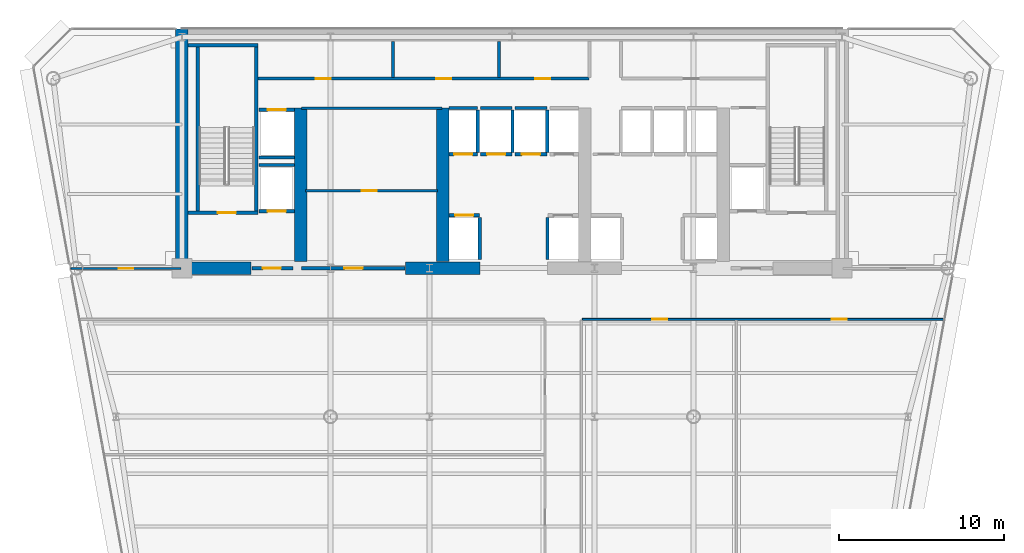
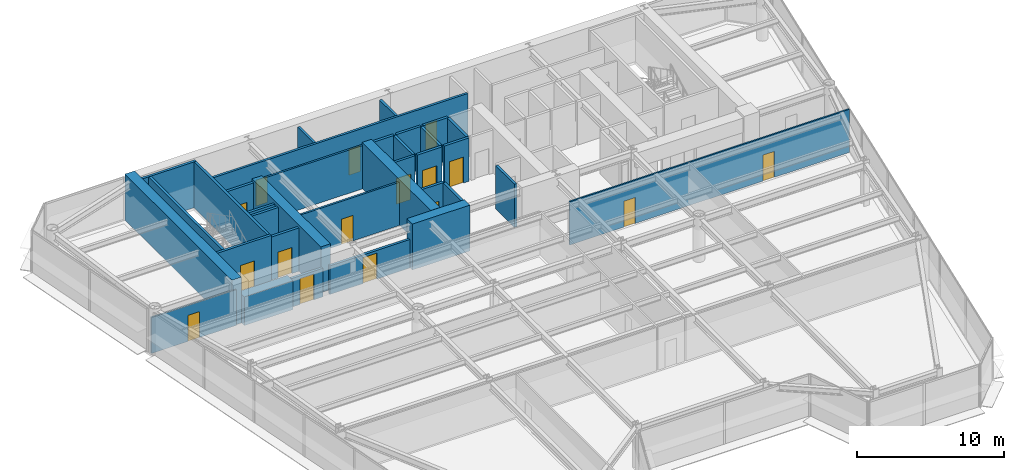
# One storey, part 11 of 17: 34 walls, 16 doors, 16 openings.
"""IFC4 building model written with IfcOpenShell, lengths in metres."""

from ifc_helpers import new_model, si_unit, direction, frame, frame_2d, origin, place, context, subcontext, project, spatial, rectangle, extrude, source, transform, mapped, material, layer, layer_set, type_object, element, fill, save


model = new_model("IFC4")

# Units and contexts
model_context = context("Model", 3, precision=1e-05, world=origin(), true_north=direction((0.0, 1.0)))
body_context = subcontext(model_context, "Body", "Model", "MODEL_VIEW")
ifc_project = project(units=[si_unit("LENGTHUNIT", "METRE"), si_unit("AREAUNIT", "SQUARE_METRE"), si_unit("VOLUMEUNIT", "CUBIC_METRE"), si_unit("PLANEANGLEUNIT", "RADIAN"), si_unit("MASSUNIT", "GRAM", prefix="KILO")], contexts=[model_context])

# Site, building, storey
site_placement = place(None, origin())
site = spatial("IfcSite", under=ifc_project, at=site_placement, CompositionType="ELEMENT")
building_placement = place(site_placement, origin())
building = spatial("IfcBuilding", under=site, at=building_placement, Name="Vaeldorn Concourse Tower", CompositionType="ELEMENT")
storey_placement = place(building_placement, frame((0.0, 0.0, 165.199951171875)))
storey = spatial("IfcBuildingStorey", under=building, at=storey_placement, Name="L42", CompositionType="ELEMENT", Elevation=165.199951171875)

# Walls
ifc_material_1 = material(Name="Concrete C60/75", Category="concrete")
ifc_layer_1 = layer(ifc_material_1, 0.75)
ifc_layer_set_1 = layer_set([ifc_layer_1], Name="Concrete C60/75")
wall_type_1 = type_object("IfcWallType", Name="WL-CORE-750", PredefinedType="SHEAR", material=ifc_layer_set_1)
wall_1_placement = place(storey_placement, frame((14.0, 36.5, 0.0), z_axis=(0.0, 0.0, 1.0), x_axis=(0.0, 1.0, 0.0)))
element("IfcWall", 1, at=wall_1_placement, inside=storey, type_object=wall_type_1, Name="Rear Core Shear Wall L42 W1", PredefinedType="SHEAR", context=body_context, shape_type="SweptSolid", body=[
    extrude(rectangle(XDim=14.5, YDim=0.75, at=frame_2d((7.25, 0.0))), origin(), (0.0, 0.0, 1.0), 3.800048828125),
])
wall_2_placement = place(storey_placement, frame((14.39501953125, 36.5, 0.0), z_axis=(0.0, 0.0, 1.0), x_axis=(1.0, 0.0, 0.0)))
element("IfcWall", 2, at=wall_2_placement, inside=storey, type_object=wall_type_1, Name="Rear Core Shear Wall L42 S1", PredefinedType="SHEAR", context=body_context, shape_type="SweptSolid", body=[
    extrude(rectangle(XDim=3.804931640625, YDim=0.75, at=frame_2d((1.90234375, 0.0))), origin(), (0.0, 0.0, 1.0), 2.380126953125),
])
wall_3_placement = place(storey_placement, frame((27.550048828125, 36.5, 0.0), z_axis=(0.0, 0.0, 1.0), x_axis=(1.0, 0.0, 0.0)))
element("IfcWall", 3, at=wall_3_placement, inside=storey, type_object=wall_type_1, Name="Rear Core Shear Wall L42 S2", PredefinedType="SHEAR", context=body_context, shape_type="SweptSolid", body=[
    extrude(rectangle(XDim=4.5, YDim=0.75, at=frame_2d((2.25, 0.0))), origin(), (0.0, 0.0, 1.0), 3.800048828125),
])
for number, where, z_axis, x_axis, name in (
    (4, (21.199951171875, 36.89501953125, 0.0), (0.0, 0.0, 1.0), (0.0, 1.0, 0.0), "Rear Core Shear Wall L42 M1"),
    (5, (29.800048828125, 36.89501953125, 0.0), (0.0, 0.0, 1.0), (0.0, 1.0, 0.0), "Rear Core Shear Wall L42 M2"),
):
    element("IfcWall", number, at=place(storey_placement, frame(where, z_axis=z_axis, x_axis=x_axis)), inside=storey, type_object=wall_type_1, Name=name, PredefinedType="SHEAR", context=body_context, shape_type="SweptSolid", body=[
        extrude(rectangle(XDim=9.304931640625, YDim=0.75, at=frame_2d((4.65234375, 0.0))), origin(), (0.0, 0.0, 1.0), 3.800048828125),
    ])

# Wall, openings, doors
ifc_material_2 = material(Name="Gypsum Board Partition", Category="gypsum")
ifc_layer_2 = layer(ifc_material_2, 0.1201171875)
ifc_layer_set_2 = layer_set([ifc_layer_2], Name="Gypsum Board Partition")
wall_type_2 = type_object("IfcWallType", Name="WL-PART-120", PredefinedType="PARTITIONING", material=ifc_layer_set_2)
wall_4_placement = place(storey_placement, frame((38.260009765625, 33.39990234375, 0.0), z_axis=(0.0, 0.0, 1.0), x_axis=(1.0, 0.0, 0.0)))
wall_4 = element("IfcWall", 6, at=wall_4_placement, inside=storey, type_object=wall_type_2, Name="Interior Wall PW-L42-C2SE", PredefinedType="PARTITIONING", context=body_context, shape_type="SweptSolid", body=[
    extrude(rectangle(XDim=21.9091796875, YDim=0.1201171875, at=frame_2d((10.95458984375, 0.0))), origin(), (0.0, 0.0, 1.0), 3.580078125),
])
opening_1_placement = place(wall_4_placement, frame((4.239990234375, 0.0, 0.0)))
opening_1 = element("IfcOpeningElement", 7, at=opening_1_placement, cuts=wall_4, Name="Opening D-03", PredefinedType="OPENING", context=body_context, shape_type="SweptSolid", body=[
    extrude(rectangle(XDim=0.89990234375, YDim=2.14990234375, at=frame_2d((0.449951171875, 1.074951171875))), frame((0.0, 0.070068359375, 0.0), z_axis=(0.0, -1.0, 0.0), x_axis=(1.0, 0.0, 0.0)), (0.0, 0.0, 1.0), 0.14013671875),
])
opening_2_placement = place(wall_4_placement, frame((15.125, 0.0, 0.0)))
opening_2 = element("IfcOpeningElement", 8, at=opening_2_placement, cuts=wall_4, Name="Opening D-03", PredefinedType="OPENING", context=body_context, shape_type="SweptSolid", body=[
    extrude(rectangle(XDim=0.89990234375, YDim=2.14990234375, at=frame_2d((0.449951171875, 1.074951171875))), frame((0.0, 0.070068359375, 0.0), z_axis=(0.0, -1.0, 0.0), x_axis=(1.0, 0.0, 0.0)), (0.0, 0.0, 1.0), 0.14013671875),
])
ifc_material_3 = material(Name="Acoustic Bronze-Framed Glass Door", Category="glass")
door_type_1 = type_object("IfcDoorType", Name="DR-INT-900", OperationType="NOTDEFINED", PredefinedType="DOOR", material=ifc_material_3)
shared_shape_1 = source(origin(), body_context, "Body", "SweptSolid", [
    extrude(rectangle(XDim=0.89990234375, YDim=2.14990234375, at=frame_2d((0.449951171875, 1.074951171875))), frame((0.0, 0.02490234375, 0.0), z_axis=(0.0, -1.0, 0.0), x_axis=(1.0, 0.0, 0.0)), (0.0, 0.0, 1.0), 0.050048828125),
])
door_1_placement = place(opening_1_placement, origin())
door_1 = element("IfcDoor", 9, at=door_1_placement, inside=storey, type_object=door_type_1, Name="Interior Door DR-L42-Z2E1", OperationType="SINGLE_SWING_RIGHT", OverallHeight=2.14990234375, OverallWidth=0.89990234375, PredefinedType="DOOR", context=body_context, shape_type="MappedRepresentation", body=[
    mapped(shared_shape_1, transform((0.0, 0.0, 0.0), scale=1.0)),
])
fill(opening_1, door_1)
door_2_placement = place(opening_2_placement, origin())
door_2 = element("IfcDoor", 10, at=door_2_placement, inside=storey, type_object=door_type_1, Name="Interior Door DR-L42-Z2E2", OperationType="SINGLE_SWING_LEFT", OverallHeight=2.14990234375, OverallWidth=0.89990234375, PredefinedType="DOOR", context=body_context, shape_type="MappedRepresentation", body=[
    mapped(shared_shape_1, transform((0.0, 0.0, 0.0), scale=1.0)),
])
fill(opening_2, door_2)

# Wall, opening, door
wall_5_placement = place(storey_placement, frame((7.2744140625, 36.47998046875, 0.0), z_axis=(0.0, 0.0, 1.0), x_axis=(1.0, 0.0, 0.0)))
wall_5 = element("IfcWall", 11, at=wall_5_placement, inside=storey, type_object=wall_type_2, Name="Interior Wall PW-L42-NWS", PredefinedType="PARTITIONING", context=body_context, shape_type="SweptSolid", body=[
    extrude(rectangle(XDim=6.66552734375, YDim=0.1201171875, at=frame_2d((3.332763671875, 0.0))), origin(), (0.0, 0.0, 1.0), 2.969970703125),
])
opening_3_placement = place(wall_5_placement, frame((2.883056640625, 0.0, 0.0)))
opening_3 = element("IfcOpeningElement", 12, at=opening_3_placement, cuts=wall_5, Name="Opening D-03", PredefinedType="OPENING", context=body_context, shape_type="SweptSolid", body=[
    extrude(rectangle(XDim=0.89990234375, YDim=2.14990234375, at=frame_2d((0.449951171875, 1.074951171875))), frame((0.0, 0.070068359375, 0.0), z_axis=(0.0, -1.0, 0.0), x_axis=(1.0, 0.0, 0.0)), (0.0, 0.0, 1.0), 0.14013671875),
])
door_3_placement = place(opening_3_placement, origin())
door_3 = element("IfcDoor", 13, at=door_3_placement, inside=storey, type_object=door_type_1, Name="Interior Door DR-L42-NWC", OperationType="SINGLE_SWING_LEFT", OverallHeight=2.14990234375, OverallWidth=0.89990234375, PredefinedType="DOOR", context=body_context, shape_type="MappedRepresentation", body=[
    mapped(shared_shape_1, transform((0.0, 0.0, 0.0), scale=1.0)),
])
fill(opening_3, door_3)

# Wall
ifc_layer_3 = layer(ifc_material_2, 0.14990234375)
ifc_layer_set_3 = layer_set([ifc_layer_3], Name="Gypsum Board Partition")
wall_type_3 = type_object("IfcWallType", Name="WL-PART-150", PredefinedType="PARTITIONING", material=ifc_layer_set_3)
wall_6_placement = place(storey_placement, frame((21.25, 46.199951171875, 0.0), z_axis=(0.0, 0.0, 1.0), x_axis=(1.0, 0.0, 0.0)))
element("IfcWall", 14, at=wall_6_placement, inside=storey, type_object=wall_type_3, Name="Interior Wall CW-L42-R1N", PredefinedType="PARTITIONING", context=body_context, shape_type="SweptSolid", body=[
    extrude(rectangle(XDim=8.5, YDim=0.14990234375, at=frame_2d((4.25, 0.0))), origin(), (0.0, 0.0, 1.0), 3.580078125),
])

# Wall, opening, door
wall_7_placement = place(storey_placement, frame((21.5, 41.199951171875, 0.0), z_axis=(0.0, 0.0, 1.0), x_axis=(1.0, 0.0, 0.0)))
wall_7 = element("IfcWall", 15, at=wall_7_placement, inside=storey, type_object=wall_type_3, Name="Interior Wall CW-L42-R1M", PredefinedType="PARTITIONING", context=body_context, shape_type="SweptSolid", body=[
    extrude(rectangle(XDim=8.0, YDim=0.14990234375, at=frame_2d((4.0, 0.0))), origin(), (0.0, 0.0, 1.0), 3.580078125),
])
opening_4_placement = place(wall_7_placement, frame((3.39990234375, 0.0, 0.0)))
opening_4 = element("IfcOpeningElement", 16, at=opening_4_placement, cuts=wall_7, Name="Opening D-02", PredefinedType="OPENING", context=body_context, shape_type="SweptSolid", body=[
    extrude(rectangle(XDim=0.89990234375, YDim=2.10009765625, at=frame_2d((0.449951171875, 1.050048828125))), frame((0.0, 0.0849609375, 0.0), z_axis=(0.0, -1.0, 0.0), x_axis=(1.0, 0.0, 0.0)), (0.0, 0.0, 1.0), 0.169921875),
])
ifc_material_4 = material(Name="Fire-Rated Timber Leaf", Category="wood")
door_type_2 = type_object("IfcDoorType", Name="DR-FD30-900", OperationType="NOTDEFINED", PredefinedType="DOOR", material=ifc_material_4)
shared_shape_2 = source(origin(), body_context, "Body", "SweptSolid", [
    extrude(rectangle(XDim=0.89990234375, YDim=2.10009765625, at=frame_2d((0.449951171875, 1.050048828125))), frame((0.0, 0.02490234375, 0.0), z_axis=(0.0, -1.0, 0.0), x_axis=(1.0, 0.0, 0.0)), (0.0, 0.0, 1.0), 0.050048828125),
])
door_4_placement = place(opening_4_placement, origin())
door_4 = element("IfcDoor", 17, at=door_4_placement, inside=storey, type_object=door_type_2, Name="Interior Door DR-L42-R1M", OperationType="SINGLE_SWING_RIGHT", OverallHeight=2.10009765625, OverallWidth=0.89990234375, PredefinedType="DOOR", context=body_context, shape_type="MappedRepresentation", body=[
    mapped(shared_shape_2, transform((0.0, 0.0, 0.0), scale=1.0)),
])
fill(opening_4, door_4)

# Wall, openings, doors
ifc_layer_4 = layer(ifc_material_2, 0.179931640625)
ifc_layer_set_4 = layer_set([ifc_layer_4], Name="Gypsum Board Partition")
wall_type_4 = type_object("IfcWallType", Name="WL-PLUMB-180", PredefinedType="PLUMBINGWALL", material=ifc_layer_set_4)
wall_8_placement = place(storey_placement, frame((18.6201171875, 47.97998046875, 0.0), z_axis=(0.0, 0.0, 1.0), x_axis=(1.0, 0.0, 0.0)))
wall_8 = element("IfcWall", 18, at=wall_8_placement, inside=storey, type_object=wall_type_4, Name="Interior Wall CW-L42-NS1W", PredefinedType="PLUMBINGWALL", context=body_context, shape_type="SweptSolid", body=[
    extrude(rectangle(XDim=20.059814453125, YDim=0.179931640625, at=frame_2d((10.02978515625, 0.0))), origin(), (0.0, 0.0, 1.0), 3.580078125),
])
opening_5_placement = place(wall_8_placement, frame((3.5, 0.0, 0.0)))
opening_5 = element("IfcOpeningElement", 19, at=opening_5_placement, cuts=wall_8, Name="Opening D-03", PredefinedType="OPENING", context=body_context, shape_type="SweptSolid", body=[
    extrude(rectangle(XDim=0.89990234375, YDim=2.14990234375, at=frame_2d((0.449951171875, 1.074951171875))), frame((0.0, 0.10009765625, 0.0), z_axis=(0.0, -1.0, 0.0), x_axis=(1.0, 0.0, 0.0)), (0.0, 0.0, 1.0), 0.199951171875),
])
opening_6_placement = place(wall_8_placement, frame((10.800048828125, 0.0, 0.0)))
opening_6 = element("IfcOpeningElement", 20, at=opening_6_placement, cuts=wall_8, Name="Opening D-03", PredefinedType="OPENING", context=body_context, shape_type="SweptSolid", body=[
    extrude(rectangle(XDim=0.89990234375, YDim=2.14990234375, at=frame_2d((0.449951171875, 1.074951171875))), frame((0.0, 0.10009765625, 0.0), z_axis=(0.0, -1.0, 0.0), x_axis=(1.0, 0.0, 0.0)), (0.0, 0.0, 1.0), 0.199951171875),
])
opening_7_placement = place(wall_8_placement, frame((16.800048828125, 0.0, 0.0)))
opening_7 = element("IfcOpeningElement", 21, at=opening_7_placement, cuts=wall_8, Name="Opening D-03", PredefinedType="OPENING", context=body_context, shape_type="SweptSolid", body=[
    extrude(rectangle(XDim=0.89990234375, YDim=2.14990234375, at=frame_2d((0.449951171875, 1.074951171875))), frame((0.0, 0.10009765625, 0.0), z_axis=(0.0, -1.0, 0.0), x_axis=(1.0, 0.0, 0.0)), (0.0, 0.0, 1.0), 0.199951171875),
])
door_5_placement = place(opening_5_placement, origin())
door_5 = element("IfcDoor", 22, at=door_5_placement, inside=storey, type_object=door_type_1, Name="Interior Door DR-L42-CS1", OperationType="SINGLE_SWING_LEFT", OverallHeight=2.14990234375, OverallWidth=0.89990234375, PredefinedType="DOOR", context=body_context, shape_type="MappedRepresentation", body=[
    mapped(shared_shape_1, transform((0.0, 0.0, 0.0), scale=1.0)),
])
fill(opening_5, door_5)
door_6_placement = place(opening_6_placement, origin())
door_6 = element("IfcDoor", 23, at=door_6_placement, inside=storey, type_object=door_type_1, Name="Interior Door DR-L42-CS2", OperationType="SINGLE_SWING_RIGHT", OverallHeight=2.14990234375, OverallWidth=0.89990234375, PredefinedType="DOOR", context=body_context, shape_type="MappedRepresentation", body=[
    mapped(shared_shape_1, transform((0.0, 0.0, 0.0), scale=1.0)),
])
fill(opening_6, door_6)
door_7_placement = place(opening_7_placement, origin())
door_7 = element("IfcDoor", 24, at=door_7_placement, inside=storey, type_object=door_type_1, Name="Interior Door DR-L42-CS3", OperationType="SINGLE_SWING_LEFT", OverallHeight=2.14990234375, OverallWidth=0.89990234375, PredefinedType="DOOR", context=body_context, shape_type="MappedRepresentation", body=[
    mapped(shared_shape_1, transform((0.0, 0.0, 0.0), scale=1.0)),
])
fill(opening_7, door_7)

# Walls
for number, where, z_axis, x_axis, name in (
    (25, (26.800048828125, 48.06005859375, 0.0), (0.0, 0.0, 1.0), (0.0, 1.0, 0.0), "Interior Wall CW-L42-NDIV1"),
    (26, (33.199951171875, 48.06005859375, 0.0), (0.0, 0.0, 1.0), (0.0, 1.0, 0.0), "Interior Wall CW-L42-NDIV2"),
):
    element("IfcWall", number, at=place(storey_placement, frame(where, z_axis=z_axis, x_axis=x_axis)), inside=storey, type_object=wall_type_4, Name=name, PredefinedType="PLUMBINGWALL", context=body_context, shape_type="SweptSolid", body=[
        extrude(rectangle(XDim=2.169921875, YDim=0.179931640625, at=frame_2d((1.0849609375, 0.0))), origin(), (0.0, 0.0, 1.0), 3.580078125),
    ])

# Wall, opening, door
ifc_material_5 = material(Name="Concrete C50/60", Category="concrete")
ifc_layer_5 = layer(ifc_material_5, 0.199951171875)
ifc_layer_set_5 = layer_set([ifc_layer_5], Name="Concrete C50/60")
wall_type_5 = type_object("IfcWallType", Name="WL-SHAFT-200", PredefinedType="SOLIDWALL", material=ifc_layer_set_5)
wall_9_placement = place(storey_placement, frame((14.375, 39.85009765625, 0.0), z_axis=(0.0, 0.0, 1.0), x_axis=(1.0, 0.0, 0.0)))
wall_9 = element("IfcWall", 27, at=wall_9_placement, inside=storey, type_object=wall_type_5, Name="Stair Shaft Wall CW-L42-ST-1-S", PredefinedType="SOLIDWALL", context=body_context, shape_type="SweptSolid", body=[
    extrude(rectangle(XDim=4.22509765625, YDim=0.199951171875, at=frame_2d((2.112548828125, 0.0))), origin(), (0.0, 0.0, 1.0), 3.800048828125),
])
opening_8_placement = place(wall_9_placement, frame((1.800048828125, 0.0, 0.0)))
opening_8 = element("IfcOpeningElement", 28, at=opening_8_placement, cuts=wall_9, Name="Opening D-01", PredefinedType="OPENING", context=body_context, shape_type="SweptSolid", body=[
    extrude(rectangle(XDim=1.10009765625, YDim=2.14990234375, at=frame_2d((0.550048828125, 1.074951171875))), frame((0.0, 0.10986328125, 0.0), z_axis=(0.0, -1.0, 0.0), x_axis=(1.0, 0.0, 0.0)), (0.0, 0.0, 1.0), 0.219970703125),
])
ifc_material_6 = material(Name="Fire-Rated Timber and Steel Leaf", Category="steel")
door_type_3 = type_object("IfcDoorType", Name="DR-FD60-1100", OperationType="NOTDEFINED", PredefinedType="DOOR", material=ifc_material_6)
shared_shape_3 = source(origin(), body_context, "Body", "SweptSolid", [
    extrude(rectangle(XDim=1.10009765625, YDim=2.14990234375, at=frame_2d((0.550048828125, 1.074951171875))), frame((0.0, 0.02490234375, 0.0), z_axis=(0.0, -1.0, 0.0), x_axis=(1.0, 0.0, 0.0)), (0.0, 0.0, 1.0), 0.050048828125),
])
door_8_placement = place(opening_8_placement, origin())
door_8 = element("IfcDoor", 29, at=door_8_placement, inside=storey, type_object=door_type_3, Name="Interior Door DR-L42-ST-1", OperationType="SINGLE_SWING_LEFT", OverallHeight=2.14990234375, OverallWidth=1.10009765625, PredefinedType="DOOR", context=body_context, shape_type="MappedRepresentation", body=[
    mapped(shared_shape_3, transform((0.0, 0.0, 0.0), scale=1.0)),
])
fill(opening_8, door_8)

# Walls
wall_10_placement = place(storey_placement, frame((14.375, 50.0, 0.0), z_axis=(0.0, 0.0, 1.0), x_axis=(1.0, 0.0, 0.0)))
element("IfcWall", 30, at=wall_10_placement, inside=storey, type_object=wall_type_5, Name="Stair Shaft Wall CW-L42-ST-1-N", PredefinedType="SOLIDWALL", context=body_context, shape_type="SweptSolid", body=[
    extrude(rectangle(XDim=4.22509765625, YDim=0.199951171875, at=frame_2d((2.112548828125, 0.0))), origin(), (0.0, 0.0, 1.0), 3.800048828125),
])
for number, where, z_axis, x_axis, name in (
    (31, (14.949951171875, 39.9599609375, 0.0), (0.0, 0.0, 1.0), (0.0, 1.0, 0.0), "Stair Shaft Wall CW-L42-ST-1-W"),
    (32, (18.5, 39.9599609375, 0.0), (0.0, 0.0, 1.0), (0.0, 1.0, 0.0), "Stair Shaft Wall CW-L42-ST-1-E"),
):
    element("IfcWall", number, at=place(storey_placement, frame(where, z_axis=z_axis, x_axis=x_axis)), inside=storey, type_object=wall_type_5, Name=name, PredefinedType="SOLIDWALL", context=body_context, shape_type="SweptSolid", body=[
        extrude(rectangle(XDim=9.929931640625, YDim=0.199951171875, at=frame_2d((4.96484375, 0.0))), origin(), (0.0, 0.0, 1.0), 3.800048828125),
    ])

# Wall, opening, door
wall_11_placement = place(storey_placement, frame((18.25, 36.5, 0.0), z_axis=(0.0, 0.0, 1.0), x_axis=(1.0, 0.0, 0.0)))
wall_11 = element("IfcWall", 33, at=wall_11_placement, inside=storey, type_object=wall_type_5, Name="Interior Wall CW-L42-FF1S", PredefinedType="SOLIDWALL", context=body_context, shape_type="SweptSolid", body=[
    extrude(rectangle(XDim=2.469970703125, YDim=0.199951171875, at=frame_2d((1.23486328125, 0.0))), origin(), (0.0, 0.0, 1.0), 2.3701171875),
])
opening_9_placement = place(wall_11_placement, frame((0.64990234375, 0.0, 0.0)))
opening_9 = element("IfcOpeningElement", 34, at=opening_9_placement, cuts=wall_11, Name="Opening D-01", PredefinedType="OPENING", context=body_context, shape_type="SweptSolid", body=[
    extrude(rectangle(XDim=1.10009765625, YDim=2.14990234375, at=frame_2d((0.550048828125, 1.074951171875))), frame((0.0, 0.10986328125, 0.0), z_axis=(0.0, -1.0, 0.0), x_axis=(1.0, 0.0, 0.0)), (0.0, 0.0, 1.0), 0.219970703125),
])
door_9_placement = place(opening_9_placement, origin())
door_9 = element("IfcDoor", 35, at=door_9_placement, inside=storey, type_object=door_type_3, Name="Interior Door DR-L42-FF1E", OperationType="SINGLE_SWING_RIGHT", OverallHeight=2.14990234375, OverallWidth=1.10009765625, PredefinedType="DOOR", context=body_context, shape_type="MappedRepresentation", body=[
    mapped(shared_shape_3, transform((0.0, 0.0, 0.0), scale=1.0)),
])
fill(opening_9, door_9)

wall_12_placement = place(storey_placement, frame((30.18505859375, 39.699951171875, 0.0), z_axis=(0.0, 0.0, 1.0), x_axis=(1.0, 0.0, 0.0)))
wall_12 = element("IfcWall", 36, at=wall_12_placement, inside=storey, type_object=wall_type_5, Name="Interior Wall CW-L42-LF-LF-07", PredefinedType="SOLIDWALL", context=body_context, shape_type="SweptSolid", body=[
    extrude(rectangle(XDim=1.844970703125, YDim=0.199951171875, at=frame_2d((0.92236328125, 0.0))), origin(), (0.0, 0.0, 1.0), 3.580078125),
])
opening_10_placement = place(wall_12_placement, frame((0.373046875, 0.0, 0.0)))
opening_10 = element("IfcOpeningElement", 37, at=opening_10_placement, cuts=wall_12, Name="Opening LD-1", PredefinedType="OPENING", context=body_context, shape_type="SweptSolid", body=[
    extrude(rectangle(XDim=1.10009765625, YDim=2.14990234375, at=frame_2d((0.550048828125, 1.074951171875))), frame((0.0, 0.10986328125, 0.0), z_axis=(0.0, -1.0, 0.0), x_axis=(1.0, 0.0, 0.0)), (0.0, 0.0, 1.0), 0.219970703125),
])
ifc_material_7 = material(Name="Anodised Bronze Aluminium", Category="aluminium")
door_type_4 = type_object("IfcDoorType", Name="DR-LIFT-SLIDE-1100", OperationType="DOUBLE_DOOR_SLIDING", PredefinedType="DOOR", material=ifc_material_7)
door_10_placement = place(opening_10_placement, origin())
door_10 = element("IfcDoor", 38, at=door_10_placement, inside=storey, type_object=door_type_4, Name="Lift Landing Door LD-L42-LF-07", OperationType="DOUBLE_DOOR_SLIDING", OverallHeight=2.14990234375, OverallWidth=1.10009765625, PredefinedType="DOOR", context=body_context, shape_type="MappedRepresentation", body=[
    mapped(shared_shape_3, transform((0.0, 0.0, 0.0), scale=1.0)),
])
fill(opening_10, door_10)

# Walls
for number, where, z_axis, x_axis, name in (
    (39, (32.050048828125, 37.02001953125, 0.0), (0.0, 0.0, 1.0), (0.0, 1.0, 0.0), "Interior Wall CW-L42-LFE-LF-07"),
    (40, (36.14990234375, 37.02001953125, 0.0), (0.0, 0.0, 1.0), (0.0, 1.0, 0.0), "Interior Wall CW-L42-LFW-LF-08"),
):
    element("IfcWall", number, at=place(storey_placement, frame(where, z_axis=z_axis, x_axis=x_axis)), inside=storey, type_object=wall_type_5, Name=name, PredefinedType="SOLIDWALL", context=body_context, shape_type="SweptSolid", body=[
        extrude(rectangle(XDim=2.56005859375, YDim=0.199951171875, at=frame_2d((1.280029296875, 0.0))), origin(), (0.0, 0.0, 1.0), 3.580078125),
    ])

# Wall, opening, door
wall_13_placement = place(storey_placement, frame((30.18505859375, 43.39990234375, 0.0), z_axis=(0.0, 0.0, 1.0), x_axis=(1.0, 0.0, 0.0)))
wall_13 = element("IfcWall", 41, at=wall_13_placement, inside=storey, type_object=wall_type_5, Name="Interior Wall CW-L42-LF-LF-09", PredefinedType="SOLIDWALL", context=body_context, shape_type="SweptSolid", body=[
    extrude(rectangle(XDim=1.724853515625, YDim=0.199951171875, at=frame_2d((0.8623046875, 0.0))), origin(), (0.0, 0.0, 1.0), 3.580078125),
])
opening_11_placement = place(wall_13_placement, frame((0.31298828125, 0.0, 0.0)))
opening_11 = element("IfcOpeningElement", 42, at=opening_11_placement, cuts=wall_13, Name="Opening LD-1", PredefinedType="OPENING", context=body_context, shape_type="SweptSolid", body=[
    extrude(rectangle(XDim=1.10009765625, YDim=2.14990234375, at=frame_2d((0.550048828125, 1.074951171875))), frame((0.0, 0.10986328125, 0.0), z_axis=(0.0, -1.0, 0.0), x_axis=(1.0, 0.0, 0.0)), (0.0, 0.0, 1.0), 0.219970703125),
])
door_11_placement = place(opening_11_placement, origin())
door_11 = element("IfcDoor", 43, at=door_11_placement, inside=storey, type_object=door_type_4, Name="Lift Landing Door LD-L42-LF-09", OperationType="DOUBLE_DOOR_SLIDING", OverallHeight=2.14990234375, OverallWidth=1.10009765625, PredefinedType="DOOR", context=body_context, shape_type="MappedRepresentation", body=[
    mapped(shared_shape_3, transform((0.0, 0.0, 0.0), scale=1.0)),
])
fill(opening_11, door_11)

# Walls
wall_14_placement = place(storey_placement, frame((30.18505859375, 46.199951171875, 0.0), z_axis=(0.0, 0.0, 1.0), x_axis=(1.0, 0.0, 0.0)))
element("IfcWall", 44, at=wall_14_placement, inside=storey, type_object=wall_type_5, Name="Interior Wall CW-L42-LFB-LF-09", PredefinedType="SOLIDWALL", context=body_context, shape_type="SweptSolid", body=[
    extrude(rectangle(XDim=1.724853515625, YDim=0.199951171875, at=frame_2d((0.8623046875, 0.0))), origin(), (0.0, 0.0, 1.0), 3.580078125),
])
wall_15_placement = place(storey_placement, frame((31.929931640625, 43.52001953125, 0.0), z_axis=(0.0, 0.0, 1.0), x_axis=(0.0, 1.0, 0.0)))
element("IfcWall", 45, at=wall_15_placement, inside=storey, type_object=wall_type_5, Name="Interior Wall CW-L42-LFE-LF-09", PredefinedType="SOLIDWALL", context=body_context, shape_type="SweptSolid", body=[
    extrude(rectangle(XDim=2.56005859375, YDim=0.199951171875, at=frame_2d((1.280029296875, 0.0))), origin(), (0.0, 0.0, 1.0), 3.580078125),
])

# Wall, opening, door
wall_16_placement = place(storey_placement, frame((32.090087890625, 43.39990234375, 0.0), z_axis=(0.0, 0.0, 1.0), x_axis=(1.0, 0.0, 0.0)))
wall_16 = element("IfcWall", 46, at=wall_16_placement, inside=storey, type_object=wall_type_5, Name="Interior Wall CW-L42-LF-LF-10", PredefinedType="SOLIDWALL", context=body_context, shape_type="SweptSolid", body=[
    extrude(rectangle(XDim=1.919921875, YDim=0.199951171875, at=frame_2d((0.9599609375, 0.0))), origin(), (0.0, 0.0, 1.0), 3.580078125),
])
opening_12_placement = place(wall_16_placement, frame((0.409912109375, 0.0, 0.0)))
opening_12 = element("IfcOpeningElement", 47, at=opening_12_placement, cuts=wall_16, Name="Opening LD-1", PredefinedType="OPENING", context=body_context, shape_type="SweptSolid", body=[
    extrude(rectangle(XDim=1.10009765625, YDim=2.14990234375, at=frame_2d((0.550048828125, 1.074951171875))), frame((0.0, 0.10986328125, 0.0), z_axis=(0.0, -1.0, 0.0), x_axis=(1.0, 0.0, 0.0)), (0.0, 0.0, 1.0), 0.219970703125),
])
door_12_placement = place(opening_12_placement, origin())
door_12 = element("IfcDoor", 48, at=door_12_placement, inside=storey, type_object=door_type_4, Name="Lift Landing Door LD-L42-LF-10", OperationType="DOUBLE_DOOR_SLIDING", OverallHeight=2.14990234375, OverallWidth=1.10009765625, PredefinedType="DOOR", context=body_context, shape_type="MappedRepresentation", body=[
    mapped(shared_shape_3, transform((0.0, 0.0, 0.0), scale=1.0)),
])
fill(opening_12, door_12)

# Walls
wall_17_placement = place(storey_placement, frame((32.090087890625, 46.199951171875, 0.0), z_axis=(0.0, 0.0, 1.0), x_axis=(1.0, 0.0, 0.0)))
element("IfcWall", 49, at=wall_17_placement, inside=storey, type_object=wall_type_5, Name="Interior Wall CW-L42-LFB-LF-10", PredefinedType="SOLIDWALL", context=body_context, shape_type="SweptSolid", body=[
    extrude(rectangle(XDim=1.919921875, YDim=0.199951171875, at=frame_2d((0.9599609375, 0.0))), origin(), (0.0, 0.0, 1.0), 3.580078125),
])
wall_18_placement = place(storey_placement, frame((34.030029296875, 43.52001953125, 0.0), z_axis=(0.0, 0.0, 1.0), x_axis=(0.0, 1.0, 0.0)))
element("IfcWall", 50, at=wall_18_placement, inside=storey, type_object=wall_type_5, Name="Interior Wall CW-L42-LFE-LF-10", PredefinedType="SOLIDWALL", context=body_context, shape_type="SweptSolid", body=[
    extrude(rectangle(XDim=2.56005859375, YDim=0.199951171875, at=frame_2d((1.280029296875, 0.0))), origin(), (0.0, 0.0, 1.0), 3.580078125),
])

# Wall, opening, door
wall_19_placement = place(storey_placement, frame((34.18994140625, 43.39990234375, 0.0), z_axis=(0.0, 0.0, 1.0), x_axis=(1.0, 0.0, 0.0)))
wall_19 = element("IfcWall", 51, at=wall_19_placement, inside=storey, type_object=wall_type_5, Name="Interior Wall CW-L42-LF-LF-11", PredefinedType="SOLIDWALL", context=body_context, shape_type="SweptSolid", body=[
    extrude(rectangle(XDim=1.920166015625, YDim=0.199951171875, at=frame_2d((0.9599609375, 0.0))), origin(), (0.0, 0.0, 1.0), 3.580078125),
])
opening_13_placement = place(wall_19_placement, frame((0.409912109375, 0.0, 0.0)))
opening_13 = element("IfcOpeningElement", 52, at=opening_13_placement, cuts=wall_19, Name="Opening LD-1", PredefinedType="OPENING", context=body_context, shape_type="SweptSolid", body=[
    extrude(rectangle(XDim=1.10009765625, YDim=2.14990234375, at=frame_2d((0.550048828125, 1.074951171875))), frame((0.0, 0.10986328125, 0.0), z_axis=(0.0, -1.0, 0.0), x_axis=(1.0, 0.0, 0.0)), (0.0, 0.0, 1.0), 0.219970703125),
])
door_13_placement = place(opening_13_placement, origin())
door_13 = element("IfcDoor", 53, at=door_13_placement, inside=storey, type_object=door_type_4, Name="Lift Landing Door LD-L42-LF-11", OperationType="DOUBLE_DOOR_SLIDING", OverallHeight=2.14990234375, OverallWidth=1.10009765625, PredefinedType="DOOR", context=body_context, shape_type="MappedRepresentation", body=[
    mapped(shared_shape_3, transform((0.0, 0.0, 0.0), scale=1.0)),
])
fill(opening_13, door_13)

# Walls
wall_20_placement = place(storey_placement, frame((34.18994140625, 46.199951171875, 0.0), z_axis=(0.0, 0.0, 1.0), x_axis=(1.0, 0.0, 0.0)))
element("IfcWall", 54, at=wall_20_placement, inside=storey, type_object=wall_type_5, Name="Interior Wall CW-L42-LFB-LF-11", PredefinedType="SOLIDWALL", context=body_context, shape_type="SweptSolid", body=[
    extrude(rectangle(XDim=1.920166015625, YDim=0.199951171875, at=frame_2d((0.9599609375, 0.0))), origin(), (0.0, 0.0, 1.0), 3.580078125),
])
wall_21_placement = place(storey_placement, frame((36.1298828125, 43.52001953125, 0.0), z_axis=(0.0, 0.0, 1.0), x_axis=(0.0, 1.0, 0.0)))
element("IfcWall", 55, at=wall_21_placement, inside=storey, type_object=wall_type_5, Name="Interior Wall CW-L42-LFE-LF-11", PredefinedType="SOLIDWALL", context=body_context, shape_type="SweptSolid", body=[
    extrude(rectangle(XDim=2.56005859375, YDim=0.199951171875, at=frame_2d((1.280029296875, 0.0))), origin(), (0.0, 0.0, 1.0), 3.580078125),
])

# Wall, opening, door
wall_22_placement = place(storey_placement, frame((18.669921875, 46.10009765625, 0.0), z_axis=(0.0, 0.0, 1.0), x_axis=(1.0, 0.0, 0.0)))
wall_22 = element("IfcWall", 56, at=wall_22_placement, inside=storey, type_object=wall_type_5, Name="Interior Wall CW-L42-LF-LF-SV1", PredefinedType="SOLIDWALL", context=body_context, shape_type="SweptSolid", body=[
    extrude(rectangle(XDim=2.14501953125, YDim=0.199951171875, at=frame_2d((1.072509765625, 0.0))), origin(), (0.0, 0.0, 1.0), 3.580078125),
])
opening_14_placement = place(wall_22_placement, frame((0.52197265625, 0.0, 0.0)))
opening_14 = element("IfcOpeningElement", 57, at=opening_14_placement, cuts=wall_22, Name="Opening LD-1", PredefinedType="OPENING", context=body_context, shape_type="SweptSolid", body=[
    extrude(rectangle(XDim=1.10009765625, YDim=2.14990234375, at=frame_2d((0.550048828125, 1.074951171875))), frame((0.0, 0.10986328125, 0.0), z_axis=(0.0, -1.0, 0.0), x_axis=(1.0, 0.0, 0.0)), (0.0, 0.0, 1.0), 0.219970703125),
])
door_14_placement = place(opening_14_placement, origin())
door_14 = element("IfcDoor", 58, at=door_14_placement, inside=storey, type_object=door_type_4, Name="Lift Landing Door LD-L42-LF-SV1", OperationType="DOUBLE_DOOR_SLIDING", OverallHeight=2.14990234375, OverallWidth=1.10009765625, PredefinedType="DOOR", context=body_context, shape_type="MappedRepresentation", body=[
    mapped(shared_shape_3, transform((0.0, 0.0, 0.0), scale=1.0)),
])
fill(opening_14, door_14)

# Wall
wall_23_placement = place(storey_placement, frame((18.669921875, 43.199951171875, 0.0), z_axis=(0.0, 0.0, 1.0), x_axis=(1.0, 0.0, 0.0)))
element("IfcWall", 59, at=wall_23_placement, inside=storey, type_object=wall_type_5, Name="Interior Wall CW-L42-LFB-LF-SV1", PredefinedType="SOLIDWALL", context=body_context, shape_type="SweptSolid", body=[
    extrude(rectangle(XDim=2.14501953125, YDim=0.199951171875, at=frame_2d((1.072509765625, 0.0))), origin(), (0.0, 0.0, 1.0), 3.580078125),
])

# Wall, opening, door
wall_24_placement = place(storey_placement, frame((18.669921875, 39.949951171875, 0.0), z_axis=(0.0, 0.0, 1.0), x_axis=(1.0, 0.0, 0.0)))
wall_24 = element("IfcWall", 60, at=wall_24_placement, inside=storey, type_object=wall_type_5, Name="Interior Wall CW-L42-LF-LF-FF1", PredefinedType="SOLIDWALL", context=body_context, shape_type="SweptSolid", body=[
    extrude(rectangle(XDim=2.14501953125, YDim=0.199951171875, at=frame_2d((1.072509765625, 0.0))), origin(), (0.0, 0.0, 1.0), 3.580078125),
])
opening_15_placement = place(wall_24_placement, frame((0.52197265625, 0.0, 0.0)))
opening_15 = element("IfcOpeningElement", 61, at=opening_15_placement, cuts=wall_24, Name="Opening LD-1", PredefinedType="OPENING", context=body_context, shape_type="SweptSolid", body=[
    extrude(rectangle(XDim=1.10009765625, YDim=2.14990234375, at=frame_2d((0.550048828125, 1.074951171875))), frame((0.0, 0.10986328125, 0.0), z_axis=(0.0, -1.0, 0.0), x_axis=(1.0, 0.0, 0.0)), (0.0, 0.0, 1.0), 0.219970703125),
])
door_15_placement = place(opening_15_placement, origin())
door_15 = element("IfcDoor", 62, at=door_15_placement, inside=storey, type_object=door_type_4, Name="Lift Landing Door LD-L42-LF-FF1", OperationType="DOUBLE_DOOR_SLIDING", OverallHeight=2.14990234375, OverallWidth=1.10009765625, PredefinedType="DOOR", context=body_context, shape_type="MappedRepresentation", body=[
    mapped(shared_shape_3, transform((0.0, 0.0, 0.0), scale=1.0)),
])
fill(opening_15, door_15)

# Wall
wall_25_placement = place(storey_placement, frame((18.669921875, 42.75, 0.0), z_axis=(0.0, 0.0, 1.0), x_axis=(1.0, 0.0, 0.0)))
element("IfcWall", 63, at=wall_25_placement, inside=storey, type_object=wall_type_5, Name="Interior Wall CW-L42-LFB-LF-FF1", PredefinedType="SOLIDWALL", context=body_context, shape_type="SweptSolid", body=[
    extrude(rectangle(XDim=2.14501953125, YDim=0.199951171875, at=frame_2d((1.072509765625, 0.0))), origin(), (0.0, 0.0, 1.0), 3.580078125),
])

# Wall, opening, door
wall_26_placement = place(storey_placement, frame((21.25, 36.5, 0.0), z_axis=(0.0, 0.0, 1.0), x_axis=(1.0, 0.0, 0.0)))
wall_26 = element("IfcWall", 64, at=wall_26_placement, inside=storey, type_object=wall_type_5, Name="Interior Wall CW-L42-R1S", PredefinedType="SOLIDWALL", context=body_context, shape_type="SweptSolid", body=[
    extrude(rectangle(XDim=6.27001953125, YDim=0.199951171875, at=frame_2d((3.135009765625, 0.0))), origin(), (0.0, 0.0, 1.0), 2.3701171875),
])
opening_16_placement = place(wall_26_placement, frame((2.60009765625, 0.0, 0.0)))
opening_16 = element("IfcOpeningElement", 65, at=opening_16_placement, cuts=wall_26, Name="Opening D-01", PredefinedType="OPENING", context=body_context, shape_type="SweptSolid", body=[
    extrude(rectangle(XDim=1.10009765625, YDim=2.14990234375, at=frame_2d((0.550048828125, 1.074951171875))), frame((0.0, 0.10986328125, 0.0), z_axis=(0.0, -1.0, 0.0), x_axis=(1.0, 0.0, 0.0)), (0.0, 0.0, 1.0), 0.219970703125),
])
door_16_placement = place(opening_16_placement, origin())
door_16 = element("IfcDoor", 66, at=door_16_placement, inside=storey, type_object=door_type_3, Name="Interior Door DR-L42-R1S", OperationType="SINGLE_SWING_LEFT", OverallHeight=2.14990234375, OverallWidth=1.10009765625, PredefinedType="DOOR", context=body_context, shape_type="MappedRepresentation", body=[
    mapped(shared_shape_3, transform((0.0, 0.0, 0.0), scale=1.0)),
])
fill(opening_16, door_16)

save(model, "model.ifc")
